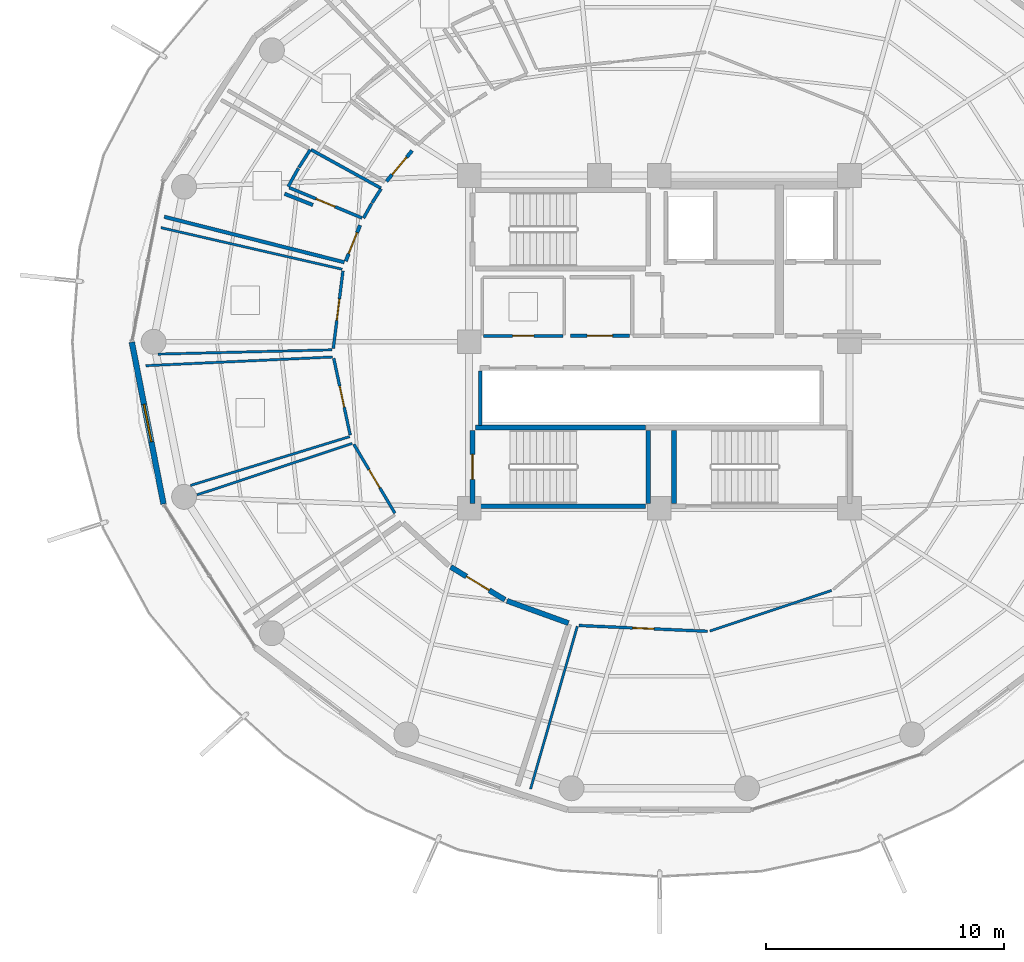
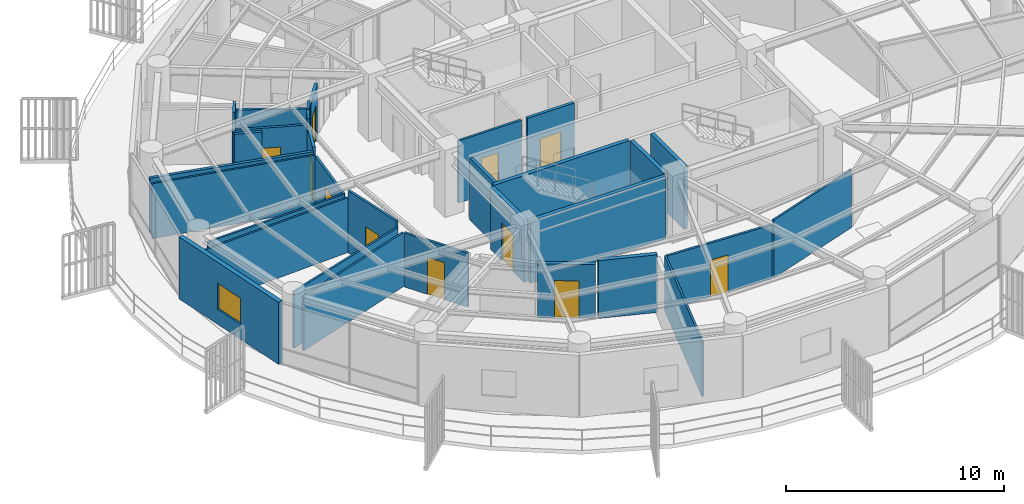
# One storey, part 24 of 31: 32 walls, 11 doors, 1 window, 12 openings.
"""IFC4 building model written with IfcOpenShell, lengths in metres."""

from ifc_helpers import new_model, si_unit, direction, frame, frame_2d, origin, place, context, subcontext, project, spatial, rectangle, extrude, material, layer, layer_set, type_object, element, fill, save


model = new_model("IFC4")

# Units and contexts
model_context = context("Model", 3, precision=1e-05, world=origin(), true_north=direction((0.0, 1.0)))
body_context = subcontext(model_context, "Body", "Model", "MODEL_VIEW")
ifc_project = project(units=[si_unit("LENGTHUNIT", "METRE"), si_unit("AREAUNIT", "SQUARE_METRE"), si_unit("VOLUMEUNIT", "CUBIC_METRE"), si_unit("PLANEANGLEUNIT", "RADIAN"), si_unit("MASSUNIT", "GRAM", prefix="KILO")], contexts=[model_context])

# Site, building, storey
site_placement = place(None, origin())
site = spatial("IfcSite", under=ifc_project, at=site_placement, CompositionType="ELEMENT")
building_placement = place(site_placement, origin())
building = spatial("IfcBuilding", under=site, at=building_placement, Name="Kelanora Arch Commons", CompositionType="ELEMENT")
storey_placement = place(building_placement, frame((0.0, 0.0, 226.949951171875)))
storey = spatial("IfcBuildingStorey", under=building, at=storey_placement, Name="L58", CompositionType="ELEMENT", Elevation=226.949951171875)

# Wall
ifc_material_1 = material(Name="Autoclaved aerated concrete blockwork with fire plaster", Category="masonry")
ifc_layer_1 = layer(ifc_material_1, 0.14990234375)
ifc_layer_set_1 = layer_set([ifc_layer_1], Name="Autoclaved aerated concrete blockwork with fire plaster")
wall_type_1 = type_object("IfcWallType", Name="W-COMP-150", PredefinedType="PARTITIONING", material=ifc_layer_set_1)
wall_1_placement = place(storey_placement, frame((66.4599609375, 54.47998046875, 0.0), z_axis=(0.0, 0.0, 1.0), x_axis=(0.0, 1.0, 0.0)))
element("IfcWall", 1, at=wall_1_placement, inside=storey, type_object=wall_type_1, Name="South Lift Bank West Wall L58", PredefinedType="PARTITIONING", context=body_context, shape_type="SweptSolid", body=[
    extrude(rectangle(XDim=2.2900390625, YDim=0.14990234375, at=frame_2d((1.14501953125, 0.0))), origin(), (0.0, 0.0, 1.0), 3.47998046875),
])

# Wall, opening, door
wall_2_placement = place(storey_placement, frame((70.260009765625, 58.25, 0.0), z_axis=(0.0, 0.0, 1.0), x_axis=(1.0, 0.0, 0.0)))
wall_2 = element("IfcWall", 2, at=wall_2_placement, inside=storey, type_object=wall_type_1, Name="Reclaimed Core Linen Store L58 Entry Partition", PredefinedType="PARTITIONING", context=body_context, shape_type="SweptSolid", body=[
    extrude(rectangle(XDim=2.47998046875, YDim=0.14990234375, at=frame_2d((1.239990234375, 0.0))), origin(), (0.0, 0.0, 1.0), 3.47998046875),
])
opening_1_placement = place(wall_2_placement, frame((0.699951171875, 0.0, 0.0)))
opening_1 = element("IfcOpeningElement", 3, at=opening_1_placement, cuts=wall_2, Name="Opening D-PLT1", PredefinedType="OPENING", context=body_context, shape_type="SweptSolid", body=[
    extrude(rectangle(XDim=1.080078125, YDim=2.10009765625, at=frame_2d((0.5400390625, 1.050048828125))), frame((0.0, 0.0849609375, 0.0), z_axis=(0.0, -1.0, 0.0), x_axis=(1.0, 0.0, 0.0)), (0.0, 0.0, 1.0), 0.169921875),
])
ifc_material_2 = material(Name="Galvanised steel plant and riser fire door", Category="steel")
door_type_1 = type_object("IfcDoorType", Name="D-PLT-110", OperationType="NOTDEFINED", PredefinedType="DOOR", material=ifc_material_2)
door_1_placement = place(opening_1_placement, origin())
door_1 = element("IfcDoor", 4, at=door_1_placement, inside=storey, type_object=door_type_1, Name="Reclaimed Core Linen Store L58 Door", OperationType="SINGLE_SWING_RIGHT", OverallHeight=2.10009765625, OverallWidth=1.080078125, PredefinedType="DOOR", context=body_context, shape_type="SweptSolid", body=[
    extrude(rectangle(XDim=1.080078125, YDim=2.10009765625, at=frame_2d((0.5400390625, 1.050048828125))), frame((0.0, 0.02490234375, 0.0), z_axis=(0.0, -1.0, 0.0), x_axis=(1.0, 0.0, 0.0)), (0.0, 0.0, 1.0), 0.050048828125),
])
fill(opening_1, door_1)

wall_3_placement = place(storey_placement, frame((63.599609375, 66.0439453125, 0.0), z_axis=(0.0, 0.0, 1.0), x_axis=(-0.642238304801, -0.766505029238, 0.0)))
wall_3 = element("IfcWall", 5, at=wall_3_placement, inside=storey, type_object=wall_type_1, Name="Cluster Bedroom L58-02 Entry Partition", PredefinedType="PARTITIONING", context=body_context, shape_type="SweptSolid", body=[
    extrude(rectangle(XDim=1.681640625, YDim=0.14990234375, at=frame_2d((0.8408203125, 0.0))), origin(), (0.0, 0.0, 1.0), 3.025146484375),
])
opening_2_placement = place(wall_3_placement, frame((0.365966796875, 0.0, 0.0)))
opening_2 = element("IfcOpeningElement", 6, at=opening_2_placement, cuts=wall_3, Name="Opening D-CLU1", PredefinedType="OPENING", context=body_context, shape_type="SweptSolid", body=[
    extrude(rectangle(XDim=0.949951171875, YDim=2.080078125, at=frame_2d((0.47509765625, 1.0400390625))), frame((0.0, 0.0849609375, 0.0), z_axis=(0.0, -1.0, 0.0), x_axis=(1.0, 0.0, 0.0)), (0.0, 0.0, 1.0), 0.169921875),
])
ifc_material_3 = material(Name="Solid-core acoustic timber cluster entry fire door", Category="wood")
door_type_2 = type_object("IfcDoorType", Name="D-CLU-95", OperationType="NOTDEFINED", PredefinedType="DOOR", material=ifc_material_3)
door_2_placement = place(opening_2_placement, origin())
door_2 = element("IfcDoor", 7, at=door_2_placement, inside=storey, type_object=door_type_2, Name="Cluster Bedroom L58-02 Door", OperationType="SINGLE_SWING_LEFT", OverallHeight=2.080078125, OverallWidth=0.949951171875, PredefinedType="DOOR", context=body_context, shape_type="SweptSolid", body=[
    extrude(rectangle(XDim=0.949951171875, YDim=2.080078125, at=frame_2d((0.47509765625, 1.0400390625))), frame((0.0, 0.02490234375, 0.0), z_axis=(0.0, -1.0, 0.0), x_axis=(1.0, 0.0, 0.0)), (0.0, 0.0, 1.0), 0.050048828125),
])
fill(opening_2, door_2)

wall_4_placement = place(storey_placement, frame((61.40869140625, 62.9072265625, 0.0), z_axis=(0.0, 0.0, 1.0), x_axis=(-0.370667853418, -0.928765493783, 0.0)))
wall_4 = element("IfcWall", 8, at=wall_4_placement, inside=storey, type_object=wall_type_1, Name="Cluster Bedroom L58-03 Entry Partition", PredefinedType="PARTITIONING", context=body_context, shape_type="SweptSolid", body=[
    extrude(rectangle(XDim=1.630859375, YDim=0.14990234375, at=frame_2d((0.8154296875, 0.0))), origin(), (0.0, 0.0, 1.0), 3.235107421875),
])
opening_3_placement = place(wall_4_placement, frame((0.340087890625, 0.0, 0.0)))
opening_3 = element("IfcOpeningElement", 9, at=opening_3_placement, cuts=wall_4, Name="Opening D-CLU1", PredefinedType="OPENING", context=body_context, shape_type="SweptSolid", body=[
    extrude(rectangle(XDim=0.949951171875, YDim=2.080078125, at=frame_2d((0.47509765625, 1.0400390625))), frame((0.0, 0.0849609375, 0.0), z_axis=(0.0, -1.0, 0.0), x_axis=(1.0, 0.0, 0.0)), (0.0, 0.0, 1.0), 0.169921875),
])
door_3_placement = place(opening_3_placement, origin())
door_3 = element("IfcDoor", 10, at=door_3_placement, inside=storey, type_object=door_type_2, Name="Cluster Bedroom L58-03 Door", OperationType="SINGLE_SWING_LEFT", OverallHeight=2.080078125, OverallWidth=0.949951171875, PredefinedType="DOOR", context=body_context, shape_type="SweptSolid", body=[
    extrude(rectangle(XDim=0.949951171875, YDim=2.080078125, at=frame_2d((0.47509765625, 1.0400390625))), frame((0.0, 0.02490234375, 0.0), z_axis=(0.0, -1.0, 0.0), x_axis=(1.0, 0.0, 0.0)), (0.0, 0.0, 1.0), 0.050048828125),
])
fill(opening_3, door_3)

# Walls
wall_5_placement = place(storey_placement, frame((60.7431640625, 61.3466796875, 0.0), z_axis=(0.0, 0.0, 1.0), x_axis=(-0.969516227032, 0.245027111811, 0.0)))
element("IfcWall", 11, at=wall_5_placement, inside=storey, type_object=wall_type_1, Name="Cluster Bedroom L58-03 Enclosure Partition 2", PredefinedType="PARTITIONING", context=body_context, shape_type="SweptSolid", body=[
    extrude(rectangle(XDim=7.813720703125, YDim=0.14990234375, at=frame_2d((3.90673828125, 0.0))), origin(), (0.0, 0.0, 1.0), 3.074951171875),
])
wall_6_placement = place(storey_placement, frame((58.230224609375, 64.229248046875, 0.0), z_axis=(0.0, 0.0, 1.0), x_axis=(0.929889476553, -0.367839042785, 0.0)))
element("IfcWall", 12, at=wall_6_placement, inside=storey, type_object=wall_type_1, Name="Cluster Bedroom L58-03 Enclosure Partition 7", PredefinedType="PARTITIONING", context=body_context, shape_type="SweptSolid", body=[
    extrude(rectangle(XDim=1.281005859375, YDim=0.14990234375, at=frame_2d((0.640625, 0.0))), origin(), (0.0, 0.0, 1.0), 3.175048828125),
])

# Wall, opening, window
ifc_material_4 = material(Name="Precast concrete C40/50 upper-zone terracotta rainscreen", Category="masonry")
ifc_layer_2 = layer(ifc_material_4, 0.239990234375)
ifc_layer_set_2 = layer_set([ifc_layer_2], Name="Precast concrete C40/50 upper-zone terracotta rainscreen")
wall_type_2 = type_object("IfcWallType", Name="W-EXT-TC2", PredefinedType="SOLIDWALL", material=ifc_layer_set_2)
wall_7_placement = place(storey_placement, frame((51.802978515625, 57.9853515625, 0.0), z_axis=(0.0, 0.0, 1.0), x_axis=(0.192069055673, -0.981381413036, 0.0)))
wall_7 = element("IfcWall", 13, at=wall_7_placement, inside=storey, type_object=wall_type_2, Name="Terracotta Exterior Wall L58-B09", PredefinedType="SOLIDWALL", context=body_context, shape_type="SweptSolid", body=[
    extrude(rectangle(XDim=6.940185546875, YDim=0.239990234375, at=frame_2d((3.47021484375, 0.0))), origin(), (0.0, 0.0, 1.0), 3.47509765625),
])
opening_4_placement = place(wall_7_placement, frame((2.669921875, 0.0, 0.85009765625)))
opening_4 = element("IfcOpeningElement", 14, at=opening_4_placement, cuts=wall_7, Name="Opening WN-01", PredefinedType="OPENING", context=body_context, shape_type="SweptSolid", body=[
    extrude(rectangle(XDim=1.60009765625, YDim=1.449951171875, at=frame_2d((0.800048828125, 0.72509765625))), frame((0.0, 0.1298828125, 0.0), z_axis=(0.0, -1.0, 0.0), x_axis=(1.0, 0.0, 0.0)), (0.0, 0.0, 1.0), 0.260009765625),
])
ifc_material_5 = material(Name="Terracotta-anodised aluminium frame with operable low-E glazing", Category="masonry")
window_type = type_object("IfcWindowType", Name="WIN-CL-18", PartitioningType="DOUBLE_PANEL_VERTICAL", PredefinedType="WINDOW", material=ifc_material_5)
window_placement = place(opening_4_placement, origin())
window = element("IfcWindow", 15, at=window_placement, inside=storey, type_object=window_type, Name="Co-Living Operable Window L58-B09", OverallHeight=1.449951171875, OverallWidth=1.60009765625, PartitioningType="SINGLE_PANEL", PredefinedType="WINDOW", context=body_context, shape_type="SweptSolid", body=[
    extrude(rectangle(XDim=1.60009765625, YDim=1.449951171875, at=frame_2d((0.800048828125, 0.72509765625))), frame((0.0, 0.030029296875, 0.0), z_axis=(0.0, -1.0, 0.0), x_axis=(1.0, 0.0, 0.0)), (0.0, 0.0, 1.0), 0.06005859375),
])
fill(opening_4, window)

# Walls
ifc_material_6 = material(Name="Lightweight fire-rated acoustic stud partition")
ifc_layer_3 = layer(ifc_material_6, 0.10009765625)
ifc_layer_set_3 = layer_set([ifc_layer_3], Name="Lightweight fire-rated acoustic stud partition")
wall_type_3 = type_object("IfcWallType", Name="W-PART-100", PredefinedType="PARTITIONING", material=ifc_layer_set_3)
wall_8_placement = place(storey_placement, frame((76.1328125, 45.82666015625, 0.0), z_axis=(0.0, 0.0, 1.0), x_axis=(0.948424962871, 0.317001718928, 0.0)))
element("IfcWall", 16, at=wall_8_placement, inside=storey, type_object=wall_type_3, Name="South-East Social Sky Lounge L58 Enclosure Partition 2", PredefinedType="PARTITIONING", context=body_context, shape_type="SweptSolid", body=[
    extrude(rectangle(XDim=5.393310546875, YDim=0.10009765625, at=frame_2d((2.69677734375, 0.0))), origin(), (0.0, 0.0, 1.0), 3.235107421875),
])
wall_9_placement = place(storey_placement, frame((68.5830078125, 39.178466796875, 0.0), z_axis=(0.0, 0.0, 1.0), x_axis=(0.27624173688, 0.961088186799, 0.0)))
element("IfcWall", 17, at=wall_9_placement, inside=storey, type_object=wall_type_3, Name="South-East Social Sky Lounge L58 Enclosure Partition 10", PredefinedType="PARTITIONING", context=body_context, shape_type="SweptSolid", body=[
    extrude(rectangle(XDim=7.123291015625, YDim=0.10009765625, at=frame_2d((3.5615234375, 0.0))), origin(), (0.0, 0.0, 1.0), 3.074951171875),
])
wall_10_placement = place(storey_placement, frame((60.235107421875, 57.662109375, 0.0), z_axis=(0.0, 0.0, 1.0), x_axis=(-0.999695784139, -0.024664532731, 0.0)))
element("IfcWall", 18, at=wall_10_placement, inside=storey, type_object=wall_type_3, Name="Shared Cluster Kitchen L58-04 Enclosure Partition 2", PredefinedType="PARTITIONING", context=body_context, shape_type="SweptSolid", body=[
    extrude(rectangle(XDim=7.334716796875, YDim=0.10009765625, at=frame_2d((3.66748046875, 0.0))), origin(), (0.0, 0.0, 1.0), 3.074951171875),
])
wall_11_placement = place(storey_placement, frame((53.031005859375, 62.802978515625, 0.0), z_axis=(0.0, 0.0, 1.0), x_axis=(0.974686998683, -0.223573823597, 0.0)))
element("IfcWall", 19, at=wall_11_placement, inside=storey, type_object=wall_type_3, Name="Shared Cluster Kitchen L58-04 Enclosure Partition 4", PredefinedType="PARTITIONING", context=body_context, shape_type="SweptSolid", body=[
    extrude(rectangle(XDim=7.822998046875, YDim=0.10009765625, at=frame_2d((3.91162109375, 0.0))), origin(), (0.0, 0.0, 1.0), 3.074951171875),
])
wall_12_placement = place(storey_placement, frame((60.966796875, 54.00830078125, 0.0), z_axis=(0.0, 0.0, 1.0), x_axis=(-0.95603492311, -0.293252835954, 0.0)))
element("IfcWall", 20, at=wall_12_placement, inside=storey, type_object=wall_type_3, Name="Social Sky Lounge L58-05 Enclosure Partition 2", PredefinedType="PARTITIONING", context=body_context, shape_type="SweptSolid", body=[
    extrude(rectangle(XDim=7.003173828125, YDim=0.10009765625, at=frame_2d((3.50146484375, 0.0))), origin(), (0.0, 0.0, 1.0), 3.175048828125),
])
wall_13_placement = place(storey_placement, frame((52.388916015625, 56.993896484375, 0.0), z_axis=(0.0, 0.0, 1.0), x_axis=(0.998916130335, 0.046546369964, 0.0)))
element("IfcWall", 21, at=wall_13_placement, inside=storey, type_object=wall_type_3, Name="Social Sky Lounge L58-05 Enclosure Partition 4", PredefinedType="PARTITIONING", context=body_context, shape_type="SweptSolid", body=[
    extrude(rectangle(XDim=7.86767578125, YDim=0.10009765625, at=frame_2d((3.933837890625, 0.0))), origin(), (0.0, 0.0, 1.0), 3.074951171875),
])
wall_14_placement = place(storey_placement, frame((54.546875, 51.5576171875, 0.0), z_axis=(0.0, 0.0, 1.0), x_axis=(0.949189380639, 0.314705449082, 0.0)))
element("IfcWall", 22, at=wall_14_placement, inside=storey, type_object=wall_type_3, Name="Quiet Seminar Study Room L58-06 Enclosure Partition 4", PredefinedType="PARTITIONING", context=body_context, shape_type="SweptSolid", body=[
    extrude(rectangle(XDim=6.8818359375, YDim=0.10009765625, at=frame_2d((3.44091796875, 0.0))), origin(), (0.0, 0.0, 1.0), 3.025146484375),
])

# Wall, opening, door
ifc_material_7 = material(Name="Acoustic twin-stud fire-rated gypsum partition")
ifc_layer_4 = layer(ifc_material_7, 0.1201171875)
ifc_layer_set_4 = layer_set([ifc_layer_4], Name="Acoustic twin-stud fire-rated gypsum partition")
wall_type_4 = type_object("IfcWallType", Name="W-PART-120", PredefinedType="PARTITIONING", material=ifc_layer_set_4)
wall_15_placement = place(storey_placement, frame((66.610107421875, 58.25, 0.0), z_axis=(0.0, 0.0, 1.0), x_axis=(1.0, 0.0, 0.0)))
wall_15 = element("IfcWall", 23, at=wall_15_placement, inside=storey, type_object=wall_type_4, Name="Reclaimed Core Quiet Phone Booths L58 Entry Partition", PredefinedType="PARTITIONING", context=body_context, shape_type="SweptSolid", body=[
    extrude(rectangle(XDim=3.329833984375, YDim=0.1201171875, at=frame_2d((1.6650390625, 0.0))), origin(), (0.0, 0.0, 1.0), 3.47998046875),
])
opening_5_placement = place(wall_15_placement, frame((1.215087890625, 0.0, 0.0)))
opening_5 = element("IfcOpeningElement", 24, at=opening_5_placement, cuts=wall_15, Name="Opening D-RM1", PredefinedType="OPENING", context=body_context, shape_type="SweptSolid", body=[
    extrude(rectangle(XDim=0.89990234375, YDim=2.080078125, at=frame_2d((0.449951171875, 1.0400390625))), frame((0.0, 0.070068359375, 0.0), z_axis=(0.0, -1.0, 0.0), x_axis=(1.0, 0.0, 0.0)), (0.0, 0.0, 1.0), 0.14013671875),
])
ifc_material_8 = material(Name="Acoustic fire-rated timber study and lounge door", Category="wood")
door_type_3 = type_object("IfcDoorType", Name="D-ROOM-90", OperationType="NOTDEFINED", PredefinedType="DOOR", material=ifc_material_8)
door_4_placement = place(opening_5_placement, origin())
door_4 = element("IfcDoor", 25, at=door_4_placement, inside=storey, type_object=door_type_3, Name="Reclaimed Core Quiet Phone Booths L58 Door", OperationType="SINGLE_SWING_LEFT", OverallHeight=2.080078125, OverallWidth=0.89990234375, PredefinedType="DOOR", context=body_context, shape_type="SweptSolid", body=[
    extrude(rectangle(XDim=0.89990234375, YDim=2.080078125, at=frame_2d((0.449951171875, 1.0400390625))), frame((0.0, 0.02490234375, 0.0), z_axis=(0.0, -1.0, 0.0), x_axis=(1.0, 0.0, 0.0)), (0.0, 0.0, 1.0), 0.050048828125),
])
fill(opening_5, door_4)

wall_16_placement = place(storey_placement, frame((70.621826171875, 46.060302734375, 0.0), z_axis=(0.0, 0.0, 1.0), x_axis=(0.998988600078, -0.044964173674, 0.0)))
wall_16 = element("IfcWall", 26, at=wall_16_placement, inside=storey, type_object=wall_type_4, Name="South-East Social Sky Lounge L58 Entry Partition", PredefinedType="PARTITIONING", context=body_context, shape_type="SweptSolid", body=[
    extrude(rectangle(XDim=5.418701171875, YDim=0.1201171875, at=frame_2d((2.70947265625, 0.0))), origin(), (0.0, 0.0, 1.0), 3.025146484375),
])
opening_6_placement = place(wall_16_placement, frame((2.259033203125, 0.0, 0.0)))
opening_6 = element("IfcOpeningElement", 27, at=opening_6_placement, cuts=wall_16, Name="Opening D-RM1", PredefinedType="OPENING", context=body_context, shape_type="SweptSolid", body=[
    extrude(rectangle(XDim=0.89990234375, YDim=2.080078125, at=frame_2d((0.449951171875, 1.0400390625))), frame((0.0, 0.070068359375, 0.0), z_axis=(0.0, -1.0, 0.0), x_axis=(1.0, 0.0, 0.0)), (0.0, 0.0, 1.0), 0.14013671875),
])
door_5_placement = place(opening_6_placement, origin())
door_5 = element("IfcDoor", 28, at=door_5_placement, inside=storey, type_object=door_type_3, Name="South-East Social Sky Lounge L58 Door", OperationType="SINGLE_SWING_RIGHT", OverallHeight=2.080078125, OverallWidth=0.89990234375, PredefinedType="DOOR", context=body_context, shape_type="SweptSolid", body=[
    extrude(rectangle(XDim=0.89990234375, YDim=2.080078125, at=frame_2d((0.449951171875, 1.0400390625))), frame((0.0, 0.02490234375, 0.0), z_axis=(0.0, -1.0, 0.0), x_axis=(1.0, 0.0, 0.0)), (0.0, 0.0, 1.0), 0.050048828125),
])
fill(opening_6, door_5)

wall_17_placement = place(storey_placement, frame((60.6875, 60.985595703125, 0.0), z_axis=(0.0, 0.0, 1.0), x_axis=(-0.123175707892, -0.992384877447, 0.0)))
wall_17 = element("IfcWall", 29, at=wall_17_placement, inside=storey, type_object=wall_type_4, Name="Shared Cluster Kitchen L58-04 Entry Partition", PredefinedType="PARTITIONING", context=body_context, shape_type="SweptSolid", body=[
    extrude(rectangle(XDim=3.288330078125, YDim=0.1201171875, at=frame_2d((1.64404296875, 0.0))), origin(), (0.0, 0.0, 1.0), 3.025146484375),
])
opening_7_placement = place(wall_17_placement, frame((1.194091796875, 0.0, 0.0)))
opening_7 = element("IfcOpeningElement", 30, at=opening_7_placement, cuts=wall_17, Name="Opening D-RM1", PredefinedType="OPENING", context=body_context, shape_type="SweptSolid", body=[
    extrude(rectangle(XDim=0.89990234375, YDim=2.080078125, at=frame_2d((0.449951171875, 1.0400390625))), frame((0.0, 0.070068359375, 0.0), z_axis=(0.0, -1.0, 0.0), x_axis=(1.0, 0.0, 0.0)), (0.0, 0.0, 1.0), 0.14013671875),
])
door_6_placement = place(opening_7_placement, origin())
door_6 = element("IfcDoor", 31, at=door_6_placement, inside=storey, type_object=door_type_3, Name="Shared Cluster Kitchen L58-04 Door", OperationType="SINGLE_SWING_RIGHT", OverallHeight=2.080078125, OverallWidth=0.89990234375, PredefinedType="DOOR", context=body_context, shape_type="SweptSolid", body=[
    extrude(rectangle(XDim=0.89990234375, YDim=2.080078125, at=frame_2d((0.449951171875, 1.0400390625))), frame((0.0, 0.02490234375, 0.0), z_axis=(0.0, -1.0, 0.0), x_axis=(1.0, 0.0, 0.0)), (0.0, 0.0, 1.0), 0.050048828125),
])
fill(opening_7, door_6)

wall_18_placement = place(storey_placement, frame((60.300537109375, 57.30322265625, 0.0), z_axis=(0.0, 0.0, 1.0), x_axis=(0.209791966594, -0.977746046145, 0.0)))
wall_18 = element("IfcWall", 32, at=wall_18_placement, inside=storey, type_object=wall_type_4, Name="Social Sky Lounge L58-05 Entry Partition", PredefinedType="PARTITIONING", context=body_context, shape_type="SweptSolid", body=[
    extrude(rectangle(XDim=3.298095703125, YDim=0.1201171875, at=frame_2d((1.64892578125, 0.0))), origin(), (0.0, 0.0, 1.0), 3.47998046875),
])
opening_8_placement = place(wall_18_placement, frame((1.198974609375, 0.0, 0.0)))
opening_8 = element("IfcOpeningElement", 33, at=opening_8_placement, cuts=wall_18, Name="Opening D-RM1", PredefinedType="OPENING", context=body_context, shape_type="SweptSolid", body=[
    extrude(rectangle(XDim=0.89990234375, YDim=2.080078125, at=frame_2d((0.449951171875, 1.0400390625))), frame((0.0, 0.070068359375, 0.0), z_axis=(0.0, -1.0, 0.0), x_axis=(1.0, 0.0, 0.0)), (0.0, 0.0, 1.0), 0.14013671875),
])
door_7_placement = place(opening_8_placement, origin())
door_7 = element("IfcDoor", 34, at=door_7_placement, inside=storey, type_object=door_type_3, Name="Social Sky Lounge L58-05 Door", OperationType="SINGLE_SWING_LEFT", OverallHeight=2.080078125, OverallWidth=0.89990234375, PredefinedType="DOOR", context=body_context, shape_type="SweptSolid", body=[
    extrude(rectangle(XDim=0.89990234375, YDim=2.080078125, at=frame_2d((0.449951171875, 1.0400390625))), frame((0.0, 0.02490234375, 0.0), z_axis=(0.0, -1.0, 0.0), x_axis=(1.0, 0.0, 0.0)), (0.0, 0.0, 1.0), 0.050048828125),
])
fill(opening_8, door_7)

wall_19_placement = place(storey_placement, frame((61.147705078125, 53.6845703125, 0.0), z_axis=(0.0, 0.0, 1.0), x_axis=(0.5120460613, -0.858957991468, 0.0)))
wall_19 = element("IfcWall", 35, at=wall_19_placement, inside=storey, type_object=wall_type_4, Name="Quiet Seminar Study Room L58-06 Entry Partition", PredefinedType="PARTITIONING", context=body_context, shape_type="SweptSolid", body=[
    extrude(rectangle(XDim=3.373779296875, YDim=0.1201171875, at=frame_2d((1.68701171875, 0.0))), origin(), (0.0, 0.0, 1.0), 3.025146484375),
])
opening_9_placement = place(wall_19_placement, frame((1.237060546875, 0.0, 0.0)))
opening_9 = element("IfcOpeningElement", 36, at=opening_9_placement, cuts=wall_19, Name="Opening D-RM1", PredefinedType="OPENING", context=body_context, shape_type="SweptSolid", body=[
    extrude(rectangle(XDim=0.89990234375, YDim=2.080078125, at=frame_2d((0.449951171875, 1.0400390625))), frame((0.0, 0.070068359375, 0.0), z_axis=(0.0, -1.0, 0.0), x_axis=(1.0, 0.0, 0.0)), (0.0, 0.0, 1.0), 0.14013671875),
])
door_8_placement = place(opening_9_placement, origin())
door_8 = element("IfcDoor", 37, at=door_8_placement, inside=storey, type_object=door_type_3, Name="Quiet Seminar Study Room L58-06 Door", OperationType="SINGLE_SWING_RIGHT", OverallHeight=2.080078125, OverallWidth=0.89990234375, PredefinedType="DOOR", context=body_context, shape_type="SweptSolid", body=[
    extrude(rectangle(XDim=0.89990234375, YDim=2.080078125, at=frame_2d((0.449951171875, 1.0400390625))), frame((0.0, 0.02490234375, 0.0), z_axis=(0.0, -1.0, 0.0), x_axis=(1.0, 0.0, 0.0)), (0.0, 0.0, 1.0), 0.050048828125),
])
fill(opening_9, door_8)

ifc_material_9 = material(Name="Concrete C40/50", Category="concrete")
ifc_layer_5 = layer(ifc_material_9, 0.219970703125)
ifc_layer_set_5 = layer_set([ifc_layer_5], Name="Concrete C40/50")
wall_type_5 = type_object("IfcWallType", Name="W-REF-200", PredefinedType="SOLIDWALL", material=ifc_layer_set_5)
wall_20_placement = place(storey_placement, frame((65.226318359375, 48.52392578125, 0.0), z_axis=(0.0, 0.0, 1.0), x_axis=(0.855153479855, -0.518374889333, 0.0)))
wall_20 = element("IfcWall", 38, at=wall_20_placement, inside=storey, type_object=wall_type_5, Name="Two-Hour Fire Refuge Holding Room L58 Entry Partition", PredefinedType="SOLIDWALL", context=body_context, shape_type="SweptSolid", body=[
    extrude(rectangle(XDim=2.661865234375, YDim=0.219970703125, at=frame_2d((1.3310546875, 0.0))), origin(), (0.0, 0.0, 1.0), 3.025146484375),
])
opening_10_placement = place(wall_20_placement, frame((0.77099609375, 0.0, 0.0)))
opening_10 = element("IfcOpeningElement", 39, at=opening_10_placement, cuts=wall_20, Name="Opening D-REF1", PredefinedType="OPENING", context=body_context, shape_type="SweptSolid", body=[
    extrude(rectangle(XDim=1.1201171875, YDim=2.10009765625, at=frame_2d((0.56005859375, 1.050048828125))), frame((0.0, 0.1201171875, 0.0), z_axis=(0.0, -1.0, 0.0), x_axis=(1.0, 0.0, 0.0)), (0.0, 0.0, 1.0), 0.239990234375),
])
ifc_material_10 = material(Name="Two-hour fire refuge holding room door")
door_type_4 = type_object("IfcDoorType", Name="D-REF-110", OperationType="NOTDEFINED", PredefinedType="DOOR", material=ifc_material_10)
door_9_placement = place(opening_10_placement, origin())
door_9 = element("IfcDoor", 40, at=door_9_placement, inside=storey, type_object=door_type_4, Name="Two-Hour Fire Refuge Holding Room L58 Door", OperationType="SINGLE_SWING_LEFT", OverallHeight=2.10009765625, OverallWidth=1.1201171875, PredefinedType="DOOR", context=body_context, shape_type="SweptSolid", body=[
    extrude(rectangle(XDim=1.1201171875, YDim=2.10009765625, at=frame_2d((0.56005859375, 1.050048828125))), frame((0.0, 0.02490234375, 0.0), z_axis=(0.0, -1.0, 0.0), x_axis=(1.0, 0.0, 0.0)), (0.0, 0.0, 1.0), 0.050048828125),
])
fill(opening_10, door_9)

# Walls
wall_21_placement = place(storey_placement, frame((67.591552734375, 47.099365234375, 0.0), z_axis=(0.0, 0.0, 1.0), x_axis=(0.940096246947, -0.340909146953, 0.0)))
element("IfcWall", 41, at=wall_21_placement, inside=storey, type_object=wall_type_5, Name="Two-Hour Fire Refuge Holding Room L58 Enclosure Partition 3", PredefinedType="SOLIDWALL", context=body_context, shape_type="SweptSolid", body=[
    extrude(rectangle(XDim=2.750732421875, YDim=0.219970703125, at=frame_2d((1.37548828125, 0.0))), origin(), (0.0, 0.0, 1.0), 3.235107421875),
])
ifc_layer_6 = layer(ifc_material_9, 0.199951171875)
ifc_layer_set_6 = layer_set([ifc_layer_6], Name="Concrete C40/50")
wall_type_6 = type_object("IfcWallType", Name="W-STAIR-200", PredefinedType="SHEAR", material=ifc_layer_set_6)
wall_22_placement = place(storey_placement, frame((74.6201171875, 54.27001953125, 0.0), z_axis=(0.0, 0.0, 1.0), x_axis=(0.0, -1.0, 0.0)))
element("IfcWall", 42, at=wall_22_placement, inside=storey, type_object=wall_type_6, Name="Stair ST-T2 Shaft Wall W L58", PredefinedType="SHEAR", context=body_context, shape_type="SweptSolid", body=[
    extrude(rectangle(XDim=3.070068359375, YDim=0.199951171875, at=frame_2d((1.53515625, 0.0))), origin(), (0.0, 0.0, 1.0), 3.489990234375),
])
wall_23_placement = place(storey_placement, frame((66.260009765625, 51.080078125, 0.0), z_axis=(0.0, 0.0, 1.0), x_axis=(1.0, 0.0, 0.0)))
element("IfcWall", 43, at=wall_23_placement, inside=storey, type_object=wall_type_6, Name="Stair ST-T3 Shaft Wall S L58", PredefinedType="SHEAR", context=body_context, shape_type="SweptSolid", body=[
    extrude(rectangle(XDim=7.159912109375, YDim=0.199951171875, at=frame_2d((3.580078125, 0.0))), origin(), (0.0, 0.0, 1.0), 3.489990234375),
])
wall_24_placement = place(storey_placement, frame((73.5400390625, 51.199951171875, 0.0), z_axis=(0.0, 0.0, 1.0), x_axis=(0.0, 1.0, 0.0)))
element("IfcWall", 44, at=wall_24_placement, inside=storey, type_object=wall_type_6, Name="Stair ST-T3 Shaft Wall E L58", PredefinedType="SHEAR", context=body_context, shape_type="SweptSolid", body=[
    extrude(rectangle(XDim=3.070068359375, YDim=0.199951171875, at=frame_2d((1.53515625, 0.0))), origin(), (0.0, 0.0, 1.0), 3.489990234375),
])
wall_25_placement = place(storey_placement, frame((73.419921875, 54.389892578125, 0.0), z_axis=(0.0, 0.0, 1.0), x_axis=(-1.0, 0.0, 0.0)))
element("IfcWall", 45, at=wall_25_placement, inside=storey, type_object=wall_type_6, Name="Stair ST-T3 Shaft Wall N L58", PredefinedType="SHEAR", context=body_context, shape_type="SweptSolid", body=[
    extrude(rectangle(XDim=7.159912109375, YDim=0.199951171875, at=frame_2d((3.580078125, 0.0))), origin(), (0.0, 0.0, 1.0), 3.489990234375),
])

# Wall, opening, door
wall_26_placement = place(storey_placement, frame((66.139892578125, 54.27001953125, 0.0), z_axis=(0.0, 0.0, 1.0), x_axis=(0.0, -1.0, 0.0)))
wall_26 = element("IfcWall", 46, at=wall_26_placement, inside=storey, type_object=wall_type_6, Name="Stair ST-T3 Shaft Wall W L58", PredefinedType="SHEAR", context=body_context, shape_type="SweptSolid", body=[
    extrude(rectangle(XDim=3.070068359375, YDim=0.199951171875, at=frame_2d((1.53515625, 0.0))), origin(), (0.0, 0.0, 1.0), 3.489990234375),
])
opening_11_placement = place(wall_26_placement, frame((1.010009765625, 0.0, 0.0)))
opening_11 = element("IfcOpeningElement", 47, at=opening_11_placement, cuts=wall_26, Name="Opening D-ST1", PredefinedType="OPENING", context=body_context, shape_type="SweptSolid", body=[
    extrude(rectangle(XDim=1.050048828125, YDim=2.10009765625, at=frame_2d((0.52490234375, 1.050048828125))), frame((0.0, 0.10986328125, 0.0), z_axis=(0.0, -1.0, 0.0), x_axis=(1.0, 0.0, 0.0)), (0.0, 0.0, 1.0), 0.219970703125),
])
ifc_material_11 = material(Name="Steel fire-rated stairwell escape door", Category="steel")
door_type_5 = type_object("IfcDoorType", Name="D-STAIR-110", OperationType="NOTDEFINED", PredefinedType="DOOR", material=ifc_material_11)
door_10_placement = place(opening_11_placement, origin())
door_10 = element("IfcDoor", 48, at=door_10_placement, inside=storey, type_object=door_type_5, Name="Stair ST-T3 Escape Door L58", OperationType="SINGLE_SWING_LEFT", OverallHeight=2.10009765625, OverallWidth=1.050048828125, PredefinedType="DOOR", context=body_context, shape_type="SweptSolid", body=[
    extrude(rectangle(XDim=1.050048828125, YDim=2.10009765625, at=frame_2d((0.52490234375, 1.050048828125))), frame((0.0, 0.02490234375, 0.0), z_axis=(0.0, -1.0, 0.0), x_axis=(1.0, 0.0, 0.0)), (0.0, 0.0, 1.0), 0.050048828125),
])
fill(opening_11, door_10)

ifc_material_12 = material(Name="Moisture-resistant fire-rated cement-board plumbing wall")
ifc_layer_7 = layer(ifc_material_12, 0.1298828125)
ifc_layer_set_7 = layer_set([ifc_layer_7], Name="Moisture-resistant fire-rated cement-board plumbing wall")
wall_type_7 = type_object("IfcWallType", Name="W-WET-120", PredefinedType="PLUMBINGWALL", material=ifc_layer_set_7)
wall_27_placement = place(storey_placement, frame((61.489501953125, 63.212158203125, 0.0), z_axis=(0.0, 0.0, 1.0), x_axis=(-0.923098696922, 0.38456312322, 0.0)))
wall_27 = element("IfcWall", 49, at=wall_27_placement, inside=storey, type_object=wall_type_7, Name="En-Suite Shower WC L58-03 Entry Partition", PredefinedType="PLUMBINGWALL", context=body_context, shape_type="SweptSolid", body=[
    extrude(rectangle(XDim=3.317138671875, YDim=0.1298828125, at=frame_2d((1.65869140625, 0.0))), origin(), (0.0, 0.0, 1.0), 3.175048828125),
])
opening_12_placement = place(wall_27_placement, frame((1.22900390625, 0.0, 0.0)))
opening_12 = element("IfcOpeningElement", 50, at=opening_12_placement, cuts=wall_27, Name="Opening D-BT1", PredefinedType="OPENING", context=body_context, shape_type="SweptSolid", body=[
    extrude(rectangle(XDim=0.860107421875, YDim=2.050048828125, at=frame_2d((0.43017578125, 1.02490234375))), frame((0.0, 0.074951171875, 0.0), z_axis=(0.0, -1.0, 0.0), x_axis=(1.0, 0.0, 0.0)), (0.0, 0.0, 1.0), 0.14990234375),
])
ifc_material_13 = material(Name="Moisture-sealed fire-rated accessible bathroom door")
door_type_6 = type_object("IfcDoorType", Name="D-BATH-85", OperationType="NOTDEFINED", PredefinedType="DOOR", material=ifc_material_13)
door_11_placement = place(opening_12_placement, origin())
door_11 = element("IfcDoor", 51, at=door_11_placement, inside=storey, type_object=door_type_6, Name="En-Suite Shower WC L58-03 Door", OperationType="SINGLE_SWING_RIGHT", OverallHeight=2.050048828125, OverallWidth=0.860107421875, PredefinedType="DOOR", context=body_context, shape_type="SweptSolid", body=[
    extrude(rectangle(XDim=0.860107421875, YDim=2.050048828125, at=frame_2d((0.43017578125, 1.02490234375))), frame((0.0, 0.02490234375, 0.0), z_axis=(0.0, -1.0, 0.0), x_axis=(1.0, 0.0, 0.0)), (0.0, 0.0, 1.0), 0.050048828125),
])
fill(opening_12, door_11)

# Walls
wall_28_placement = place(storey_placement, frame((62.291259765625, 64.438232421875, 0.0), z_axis=(0.0, 0.0, 1.0), x_axis=(-0.538677920136, -0.842511779359, 0.0)))
element("IfcWall", 52, at=wall_28_placement, inside=storey, type_object=wall_type_7, Name="En-Suite Shower WC L58-03 Enclosure Partition 1", PredefinedType="PLUMBINGWALL", context=body_context, shape_type="SweptSolid", body=[
    extrude(rectangle(XDim=0.70068359375, YDim=0.1298828125, at=frame_2d((0.350341796875, 0.0))), origin(), (0.0, 0.0, 1.0), 3.47998046875),
])
wall_29_placement = place(storey_placement, frame((61.893310546875, 63.8134765625, 0.0), z_axis=(0.0, 0.0, 1.0), x_axis=(-0.487222889134, -0.873277651325, 0.0)))
element("IfcWall", 53, at=wall_29_placement, inside=storey, type_object=wall_type_7, Name="En-Suite Shower WC L58-03 Enclosure Partition 2", PredefinedType="PLUMBINGWALL", context=body_context, shape_type="SweptSolid", body=[
    extrude(rectangle(XDim=0.695068359375, YDim=0.1298828125, at=frame_2d((0.34765625, 0.0))), origin(), (0.0, 0.0, 1.0), 3.47998046875),
])
wall_30_placement = place(storey_placement, frame((58.381591796875, 64.528564453125, 0.0), z_axis=(0.0, 0.0, 1.0), x_axis=(0.486816740093, 0.873504127961, 0.0)))
element("IfcWall", 54, at=wall_30_placement, inside=storey, type_object=wall_type_7, Name="En-Suite Shower WC L58-03 Enclosure Partition 4", PredefinedType="PLUMBINGWALL", context=body_context, shape_type="SweptSolid", body=[
    extrude(rectangle(XDim=0.882568359375, YDim=0.1298828125, at=frame_2d((0.44140625, 0.0))), origin(), (0.0, 0.0, 1.0), 3.025146484375),
])
wall_31_placement = place(storey_placement, frame((58.831787109375, 65.333984375, 0.0), z_axis=(0.0, 0.0, 1.0), x_axis=(0.538866442337, 0.84239121394, 0.0)))
element("IfcWall", 55, at=wall_31_placement, inside=storey, type_object=wall_type_7, Name="En-Suite Shower WC L58-03 Enclosure Partition 5", PredefinedType="PLUMBINGWALL", context=body_context, shape_type="SweptSolid", body=[
    extrude(rectangle(XDim=0.887939453125, YDim=0.1298828125, at=frame_2d((0.44384765625, 0.0))), origin(), (0.0, 0.0, 1.0), 3.47998046875),
])
wall_32_placement = place(storey_placement, frame((59.33837890625, 66.08935546875, 0.0), z_axis=(0.0, 0.0, 1.0), x_axis=(0.875659168238, -0.482929623322, 0.0)))
element("IfcWall", 56, at=wall_32_placement, inside=storey, type_object=wall_type_7, Name="En-Suite Shower WC L58-03 Enclosure Partition 6", PredefinedType="PLUMBINGWALL", context=body_context, shape_type="SweptSolid", body=[
    extrude(rectangle(XDim=3.3642578125, YDim=0.1298828125, at=frame_2d((1.68212890625, 0.0))), origin(), (0.0, 0.0, 1.0), 3.025146484375),
])

save(model, "model.ifc")
